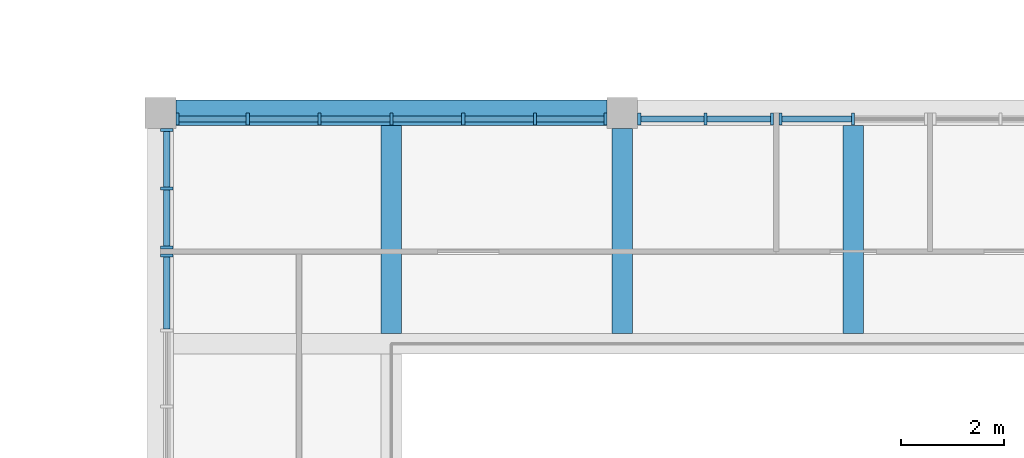
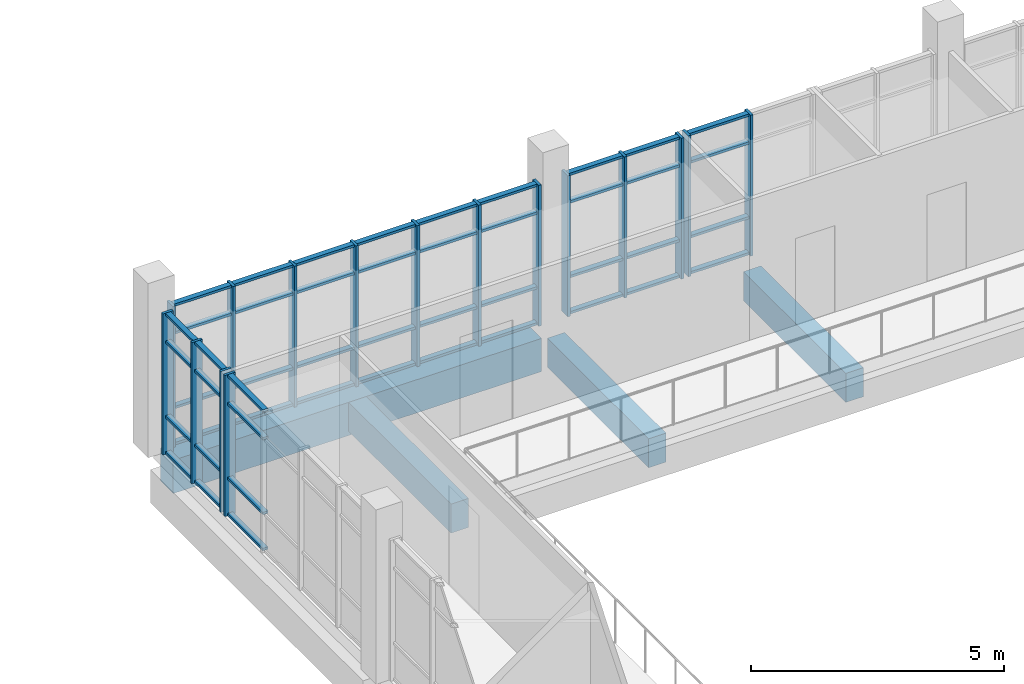
# One storey, part 7 of 92: 64 members, 4 beams, 5 elements without a shape of their own.
"""IFC4 building model written with IfcOpenShell, lengths in metres."""

import ifcopenshell
import ifcopenshell.guid

model = None  # the IFC model being written
_history = None  # IfcOwnerHistory: only IFC2X3 demands one
_inside = {}  # id of a spatial element -> (the spatial element, [elements in it])
_under = {}  # id of a project, library or spatial element -> (it, [spatial elements below it])
_declared = {}  # id of a project -> (the project, [libraries it declares])
_typed = {}  # id of a type object -> (the type object, [elements of that type])
_made_of = {}  # id of a material, layer set ... -> (it, [elements and type objects made of it])


def new_model(schema):
    """Start an empty IFC model of exactly this schema.

    Asked for "IFC4X3", IfcOpenShell would pick the latest addendum, in which some entities
    have other attributes; the version numbers below select the first issue.
    IFC2X3 requires an IfcOwnerHistory on every rooted entity: one is made here for all.
    """
    global model, _history
    if schema == "IFC4X3":
        model = ifcopenshell.file(schema_version=(4, 3, 0, 0))
    else:
        model = ifcopenshell.file(schema=schema)
    _inside.clear()
    _under.clear()
    _declared.clear()
    _typed.clear()
    _made_of.clear()
    _history = None
    if model.schema == "IFC2X3":
        org = make("IfcOrganization", Name="unknown")
        user = make(
            "IfcPersonAndOrganization",
            ThePerson=make("IfcPerson", FamilyName="unknown"),
            TheOrganization=org,
        )
        app = make(
            "IfcApplication",
            ApplicationDeveloper=org,
            Version="unknown",
            ApplicationFullName="unknown",
            ApplicationIdentifier="unknown",
        )
        _history = make(
            "IfcOwnerHistory",
            OwningUser=user,
            OwningApplication=app,
            ChangeAction="ADDED",
            CreationDate=0,
        )
    return model


def make(cls, **values):
    """One entity of the class cls with the attributes given. An attribute that is None is left unset."""
    return model.create_entity(
        cls, **{name: value for name, value in values.items() if value is not None}
    )


def rooted(cls, **values):
    """An entity with a GlobalId (a new one), such as an element, a storey or a relation."""
    return make(cls, GlobalId=ifcopenshell.guid.new(), OwnerHistory=_history, **values)


def si_unit(unit_type, name, prefix=None):
    """IfcSIUnit, for example si_unit("LENGTHUNIT", "METRE", prefix="MILLI")."""
    return make("IfcSIUnit", UnitType=unit_type, Prefix=prefix, Name=name)


def assignment(units):
    """IfcUnitAssignment: the units of a project."""
    return None if units is None else make("IfcUnitAssignment", Units=units)


def point(xyz):
    """IfcCartesianPoint."""
    return None if xyz is None else make("IfcCartesianPoint", Coordinates=xyz)


def direction(xyz):
    """IfcDirection."""
    return None if xyz is None else make("IfcDirection", DirectionRatios=xyz)


def frame(location, z_axis=None, x_axis=None):
    """IfcAxis2Placement3D, a coordinate frame: its origin and axes. An axis left out is left unset."""
    return make(
        "IfcAxis2Placement3D",
        Location=point(location),
        Axis=direction(z_axis),
        RefDirection=direction(x_axis),
    )


def frame_2d(location, x_axis=None):
    """IfcAxis2Placement2D, a coordinate frame in the plane: its origin and x axis."""
    return make(
        "IfcAxis2Placement2D", Location=point(location), RefDirection=direction(x_axis)
    )


def origin():
    """The frame at (0, 0, 0) with its axes left unset."""
    return frame((0.0, 0.0, 0.0))


def origin_2d():
    """The frame at (0, 0) in the plane with its x axis left unset."""
    return frame_2d((0.0, 0.0))


def place(relative_to, where):
    """IfcLocalPlacement: puts the frame where relative to a parent placement (None: the world)."""
    return make(
        "IfcLocalPlacement", PlacementRelTo=relative_to, RelativePlacement=where
    )


def context(
    kind, dimensions, precision=None, world=None, true_north=None, identifier=None
):
    """IfcGeometricRepresentationContext, for example the 3D "Model" context."""
    return make(
        "IfcGeometricRepresentationContext",
        ContextIdentifier=identifier,
        ContextType=kind,
        CoordinateSpaceDimension=dimensions,
        Precision=precision,
        WorldCoordinateSystem=world,
        TrueNorth=true_north,
    )


def subcontext(parent, identifier, kind, view, scale=None):
    """IfcGeometricRepresentationSubContext, for example "Body" below "Model"."""
    return make(
        "IfcGeometricRepresentationSubContext",
        ContextIdentifier=identifier,
        ContextType=kind,
        ParentContext=parent,
        TargetScale=scale,
        TargetView=view,
    )


def project(units=None, contexts=None):
    """IfcProject with its units and contexts."""
    return rooted(
        "IfcProject",
        Name="project",
        RepresentationContexts=contexts,
        UnitsInContext=assignment(units),
    )


def spatial(cls, under=None, at=None, **own):
    """A site, building, storey or space (cls), placed at a placement, below another one or the project."""
    s = rooted(cls, ObjectPlacement=at, **own)
    if under is not None:
        _under.setdefault(under.id(), (under, []))[1].append(s)
    return s


def profile(cls, at=None, kind="AREA", **sizes):
    """A parametric profile (cls). Its sizes go by their IFC names, for example OverallWidth=200.0."""
    return make(cls, ProfileType=kind, Position=at, **sizes)


def rectangle(**sizes):
    """IfcRectangleProfileDef."""
    return profile("IfcRectangleProfileDef", **sizes)


def extrude(swept, where, along, depth):
    """IfcExtrudedAreaSolid: the profile swept, set in the frame where, extruded along a direction by depth."""
    return make(
        "IfcExtrudedAreaSolid",
        SweptArea=swept,
        Position=where,
        ExtrudedDirection=direction(along),
        Depth=depth,
    )


def shape(context_of_items, identifier, shape_type, items):
    """IfcShapeRepresentation: the items that make up one representation, for example the "Body"."""
    return make(
        "IfcShapeRepresentation",
        ContextOfItems=context_of_items,
        RepresentationIdentifier=identifier,
        RepresentationType=shape_type,
        Items=items,
    )


def material(Name=None, Category=None):
    """IfcMaterial."""
    return make("IfcMaterial", Name=Name, Category=Category)


def material_profile(
    of_material, cross_section, Name=None, Category=None, Priority=None
):
    """IfcMaterialProfile: a cross section and its material."""
    return make(
        "IfcMaterialProfile",
        Name=Name,
        Material=of_material,
        Profile=cross_section,
        Priority=Priority,
        Category=Category,
    )


def profile_set(profiles, Name=None, composite=None):
    """IfcMaterialProfileSet."""
    return make(
        "IfcMaterialProfileSet",
        Name=Name,
        MaterialProfiles=profiles,
        CompositeProfile=composite,
    )


def made_of(thing, what):
    """Note that an element or type object is made of a material, layer set ...; save() writes the relation."""
    if what is not None:
        _made_of.setdefault(what.id(), (what, []))[1].append(thing)
    return thing


def type_object(cls, material=None, **own):
    """A type object (cls), such as IfcWallType, which elements share."""
    return made_of(rooted(cls, **own), material)


def element(
    cls,
    number,
    at=None,
    inside=None,
    cuts=None,
    type_object=None,
    material=None,
    context=None,
    identifier="Body",
    shape_type=None,
    held_by="IfcProductDefinitionShape",
    body=None,
    shapes=None,
    **own,
):
    """One element of the class cls, such as IfcWall. Its Tag is "e" and its number.

    at: its placement. inside: the storey or other place that contains it. cuts: it is an
    opening in that element (IfcRelVoidsElement). A single representation is given by context,
    identifier, shape_type and body (its items); several are given by shapes. held_by: the class
    of the entity that holds the representations. save() writes the other relations.
    """
    e = rooted(cls, Tag="e%d" % number, ObjectPlacement=at, **own)
    if body is not None:
        shapes = [shape(context, identifier, shape_type, body)]
    if shapes is not None:
        e.Representation = make(held_by, Representations=shapes)
    if inside is not None:
        _inside.setdefault(inside.id(), (inside, []))[1].append(e)
    if cuts is not None:
        rooted(
            "IfcRelVoidsElement", RelatingBuildingElement=cuts, RelatedOpeningElement=e
        )
    if type_object is not None:
        _typed.setdefault(type_object.id(), (type_object, []))[1].append(e)
    return made_of(e, material)


def aggregate(whole, parts):
    """IfcRelAggregates: a whole, such as a stair, and the parts it consists of."""
    return rooted("IfcRelAggregates", RelatingObject=whole, RelatedObjects=parts)


def save(model, path):
    """Write the relations noted so far, then the file.

    IfcRelAggregates (storeys below a building ...), IfcRelContainedInSpatialStructure (elements
    in a storey), IfcRelDefinesByType, IfcRelAssociatesMaterial and IfcRelDeclares: one each for
    every whole, place, type object, material and project.
    """
    for whole, parts in _under.values():
        aggregate(whole, parts)
    for where, things in _inside.values():
        rooted(
            "IfcRelContainedInSpatialStructure",
            RelatedElements=things,
            RelatingStructure=where,
        )
    for kind, things in _typed.values():
        rooted("IfcRelDefinesByType", RelatedObjects=things, RelatingType=kind)
    for what, things in _made_of.values():
        rooted("IfcRelAssociatesMaterial", RelatedObjects=things, RelatingMaterial=what)
    for by, libraries in _declared.values():
        rooted("IfcRelDeclares", RelatingContext=by, RelatedDefinitions=libraries)
    model.write(path)


model = new_model("IFC4")

# Units and contexts
model_context = context("Model", 3, precision=1e-05, world=origin(), true_north=direction((0.0, 1.0)))
body_context = subcontext(model_context, "Body", "Model", "MODEL_VIEW")
ifc_project = project(units=[si_unit("LENGTHUNIT", "METRE"), si_unit("AREAUNIT", "SQUARE_METRE"), si_unit("VOLUMEUNIT", "CUBIC_METRE"), si_unit("PLANEANGLEUNIT", "RADIAN"), si_unit("MASSUNIT", "GRAM", prefix="KILO")], contexts=[model_context])

# Site, building, storey
site_placement = place(None, origin())
site = spatial("IfcSite", under=ifc_project, at=site_placement, CompositionType="ELEMENT")
building_placement = place(site_placement, origin())
building = spatial("IfcBuilding", under=site, at=building_placement, Name="Merrow Basin Faculty of Sciences", CompositionType="ELEMENT")
storey_placement = place(building_placement, frame((0.0, 0.0, 4.5)))
storey = spatial("IfcBuildingStorey", under=building, at=storey_placement, Name="L01", CompositionType="ELEMENT", Elevation=4.5)

# Curtain wall, member
ifc_material_1 = material(Name="Aluminium alloy 6063", Category="aluminium")
curtain_wall_type = type_object("IfcCurtainWallType", Name="Atrium unitised curtain wall 240", PredefinedType="NOTDEFINED", material=ifc_material_1)
curtain_wall_1_placement = place(storey_placement, origin())
curtain_wall_1 = element("IfcCurtainWall", 1, at=curtain_wall_1_placement, inside=storey, type_object=curtain_wall_type, Name="W curtain wall L01 4", PredefinedType="NOTDEFINED")
ifc_material_2 = material(Name="Aluminium alloy 6063", Category="aluminium")
ifc_material_profile_1 = material_profile(ifc_material_2, rectangle(XDim=0.239990234375, YDim=0.06005859375, at=origin_2d()))
ifc_profile_set_1 = profile_set([ifc_material_profile_1], Name="Aluminium alloy 6063")
member_type_1 = type_object("IfcMemberType", Name="Aluminium mullion 60x240", PredefinedType="MULLION", material=ifc_profile_set_1)
member_1_placement = place(storey_placement, frame((45.1201171875, 33.219970703125, 0.0), z_axis=(0.0, 0.0, 1.0), x_axis=(-1.0, 0.0, 0.0)))
member_1 = element("IfcMember", 2, at=member_1_placement, type_object=member_type_1, Name="CW5 mullion 5", PredefinedType="MULLION", context=body_context, shape_type="SweptSolid", body=[
    extrude(rectangle(XDim=0.239990234375, YDim=0.06005859375, at=origin_2d()), origin(), (0.0, 0.0, 1.0), 3.39990234375),
])

# Curtain wall, members
curtain_wall_2_placement = place(storey_placement, origin())
curtain_wall_2 = element("IfcCurtainWall", 3, at=curtain_wall_2_placement, inside=storey, type_object=curtain_wall_type, Name="W curtain wall L01 5", PredefinedType="NOTDEFINED")
member_2_placement = place(storey_placement, frame((45.1201171875, 33.3798828125, 0.0), z_axis=(0.0, 0.0, 1.0), x_axis=(-1.0, 0.0, 0.0)))
member_2 = element("IfcMember", 4, at=member_2_placement, type_object=member_type_1, Name="CW5 mullion 1", PredefinedType="MULLION", context=body_context, shape_type="SweptSolid", body=[
    extrude(rectangle(XDim=0.239990234375, YDim=0.06005859375, at=origin_2d()), origin(), (0.0, 0.0, 1.0), 3.39990234375),
])
member_3_placement = place(storey_placement, frame((45.1201171875, 34.52490234375, 0.0), z_axis=(0.0, 0.0, 1.0), x_axis=(-1.0, 0.0, 0.0)))
member_3 = element("IfcMember", 5, at=member_3_placement, type_object=member_type_1, Name="CW5 mullion 2", PredefinedType="MULLION", context=body_context, shape_type="SweptSolid", body=[
    extrude(rectangle(XDim=0.239990234375, YDim=0.06005859375, at=origin_2d()), origin(), (0.0, 0.0, 1.0), 3.39990234375),
])
member_4_placement = place(storey_placement, frame((45.1201171875, 35.669921875, 0.0), z_axis=(0.0, 0.0, 1.0), x_axis=(-1.0, 0.0, 0.0)))
member_4 = element("IfcMember", 6, at=member_4_placement, type_object=member_type_1, Name="CW5 mullion 3", PredefinedType="MULLION", context=body_context, shape_type="SweptSolid", body=[
    extrude(rectangle(XDim=0.239990234375, YDim=0.06005859375, at=origin_2d()), origin(), (0.0, 0.0, 1.0), 3.39990234375),
])

curtain_wall_3_placement = place(storey_placement, origin())
curtain_wall_3 = element("IfcCurtainWall", 7, at=curtain_wall_3_placement, inside=storey, type_object=curtain_wall_type, Name="N curtain wall L01 1", PredefinedType="NOTDEFINED")
member_5_placement = place(storey_placement, frame((45.330078125, 35.8798828125, 0.0), z_axis=(0.0, 0.0, 1.0), x_axis=(0.0, 1.0, 0.0)))
member_5 = element("IfcMember", 8, at=member_5_placement, type_object=member_type_1, Name="CW5 mullion 1", PredefinedType="MULLION", context=body_context, shape_type="SweptSolid", body=[
    extrude(rectangle(XDim=0.239990234375, YDim=0.06005859375, at=origin_2d()), origin(), (0.0, 0.0, 1.0), 3.39990234375),
])
member_6_placement = place(storey_placement, frame((46.699951171875, 35.8798828125, 0.0), z_axis=(0.0, 0.0, 1.0), x_axis=(0.0, 1.0, 0.0)))
member_6 = element("IfcMember", 9, at=member_6_placement, type_object=member_type_1, Name="CW5 mullion 2", PredefinedType="MULLION", context=body_context, shape_type="SweptSolid", body=[
    extrude(rectangle(XDim=0.239990234375, YDim=0.06005859375, at=origin_2d()), origin(), (0.0, 0.0, 1.0), 3.39990234375),
])
member_7_placement = place(storey_placement, frame((48.10009765625, 35.8798828125, 0.0), z_axis=(0.0, 0.0, 1.0), x_axis=(0.0, 1.0, 0.0)))
member_7 = element("IfcMember", 10, at=member_7_placement, type_object=member_type_1, Name="CW5 mullion 3", PredefinedType="MULLION", context=body_context, shape_type="SweptSolid", body=[
    extrude(rectangle(XDim=0.239990234375, YDim=0.06005859375, at=origin_2d()), origin(), (0.0, 0.0, 1.0), 3.39990234375),
])
member_8_placement = place(storey_placement, frame((49.5, 35.8798828125, 0.0), z_axis=(0.0, 0.0, 1.0), x_axis=(0.0, 1.0, 0.0)))
member_8 = element("IfcMember", 11, at=member_8_placement, type_object=member_type_1, Name="CW5 mullion 4", PredefinedType="MULLION", context=body_context, shape_type="SweptSolid", body=[
    extrude(rectangle(XDim=0.239990234375, YDim=0.06005859375, at=origin_2d()), origin(), (0.0, 0.0, 1.0), 3.39990234375),
])
member_9_placement = place(storey_placement, frame((50.89990234375, 35.8798828125, 0.0), z_axis=(0.0, 0.0, 1.0), x_axis=(0.0, 1.0, 0.0)))
member_9 = element("IfcMember", 12, at=member_9_placement, type_object=member_type_1, Name="CW5 mullion 5", PredefinedType="MULLION", context=body_context, shape_type="SweptSolid", body=[
    extrude(rectangle(XDim=0.239990234375, YDim=0.06005859375, at=origin_2d()), origin(), (0.0, 0.0, 1.0), 3.39990234375),
])
member_10_placement = place(storey_placement, frame((52.300048828125, 35.8798828125, 0.0), z_axis=(0.0, 0.0, 1.0), x_axis=(0.0, 1.0, 0.0)))
member_10 = element("IfcMember", 13, at=member_10_placement, type_object=member_type_1, Name="CW5 mullion 6", PredefinedType="MULLION", context=body_context, shape_type="SweptSolid", body=[
    extrude(rectangle(XDim=0.239990234375, YDim=0.06005859375, at=origin_2d()), origin(), (0.0, 0.0, 1.0), 3.39990234375),
])
member_11_placement = place(storey_placement, frame((53.669921875, 35.8798828125, 0.0), z_axis=(0.0, 0.0, 1.0), x_axis=(0.0, 1.0, 0.0)))
member_11 = element("IfcMember", 14, at=member_11_placement, type_object=member_type_1, Name="CW5 mullion 7", PredefinedType="MULLION", context=body_context, shape_type="SweptSolid", body=[
    extrude(rectangle(XDim=0.239990234375, YDim=0.06005859375, at=origin_2d()), origin(), (0.0, 0.0, 1.0), 3.39990234375),
])

curtain_wall_4_placement = place(storey_placement, origin())
curtain_wall_4 = element("IfcCurtainWall", 15, at=curtain_wall_4_placement, inside=storey, type_object=curtain_wall_type, Name="N curtain wall L01 2", PredefinedType="NOTDEFINED")
member_12_placement = place(storey_placement, frame((54.330078125, 35.8798828125, 0.0), z_axis=(0.0, 0.0, 1.0), x_axis=(0.0, 1.0, 0.0)))
member_12 = element("IfcMember", 16, at=member_12_placement, type_object=member_type_1, Name="CW5 mullion 1", PredefinedType="MULLION", context=body_context, shape_type="SweptSolid", body=[
    extrude(rectangle(XDim=0.239990234375, YDim=0.06005859375, at=origin_2d()), origin(), (0.0, 0.0, 1.0), 3.39990234375),
])
member_13_placement = place(storey_placement, frame((55.625, 35.8798828125, 0.0), z_axis=(0.0, 0.0, 1.0), x_axis=(0.0, 1.0, 0.0)))
member_13 = element("IfcMember", 17, at=member_13_placement, type_object=member_type_1, Name="CW5 mullion 2", PredefinedType="MULLION", context=body_context, shape_type="SweptSolid", body=[
    extrude(rectangle(XDim=0.239990234375, YDim=0.06005859375, at=origin_2d()), origin(), (0.0, 0.0, 1.0), 3.39990234375),
])
member_14_placement = place(storey_placement, frame((56.919921875, 35.8798828125, 0.0), z_axis=(0.0, 0.0, 1.0), x_axis=(0.0, 1.0, 0.0)))
member_14 = element("IfcMember", 18, at=member_14_placement, type_object=member_type_1, Name="CW5 mullion 3", PredefinedType="MULLION", context=body_context, shape_type="SweptSolid", body=[
    extrude(rectangle(XDim=0.239990234375, YDim=0.06005859375, at=origin_2d()), origin(), (0.0, 0.0, 1.0), 3.39990234375),
])

curtain_wall_5_placement = place(storey_placement, origin())
curtain_wall_5 = element("IfcCurtainWall", 19, at=curtain_wall_5_placement, inside=storey, type_object=curtain_wall_type, Name="N curtain wall L01 3", PredefinedType="NOTDEFINED")
member_15_placement = place(storey_placement, frame((57.080078125, 35.8798828125, 0.0), z_axis=(0.0, 0.0, 1.0), x_axis=(0.0, 1.0, 0.0)))
member_15 = element("IfcMember", 20, at=member_15_placement, type_object=member_type_1, Name="CW5 mullion 1", PredefinedType="MULLION", context=body_context, shape_type="SweptSolid", body=[
    extrude(rectangle(XDim=0.239990234375, YDim=0.06005859375, at=origin_2d()), origin(), (0.0, 0.0, 1.0), 3.39990234375),
])
member_16_placement = place(storey_placement, frame((58.5, 35.8798828125, 0.0), z_axis=(0.0, 0.0, 1.0), x_axis=(0.0, 1.0, 0.0)))
member_16 = element("IfcMember", 21, at=member_16_placement, type_object=member_type_1, Name="CW5 mullion 2", PredefinedType="MULLION", context=body_context, shape_type="SweptSolid", body=[
    extrude(rectangle(XDim=0.239990234375, YDim=0.06005859375, at=origin_2d()), origin(), (0.0, 0.0, 1.0), 3.39990234375),
])

# Member
ifc_material_3 = material(Name="Aluminium alloy 6063", Category="aluminium")
ifc_material_profile_2 = material_profile(ifc_material_3, rectangle(XDim=0.1201171875, YDim=0.06005859375, at=origin_2d()))
ifc_profile_set_2 = profile_set([ifc_material_profile_2], Name="Aluminium alloy 6063")
member_type_2 = type_object("IfcMemberType", Name="Aluminium transom 60x120", PredefinedType="USERDEFINED", material=ifc_profile_set_2)
member_17_placement = place(storey_placement, frame((45.1201171875, 31.79248046875, 0.030029296875), z_axis=(0.0, 1.0, 0.0), x_axis=(-1.0, 0.0, 0.0)))
member_17 = element("IfcMember", 22, at=member_17_placement, type_object=member_type_2, Name="CW5 transom 4.1", ObjectType="TRANSOM", PredefinedType="USERDEFINED", context=body_context, shape_type="SweptSolid", body=[
    extrude(rectangle(XDim=0.1201171875, YDim=0.06005859375, at=origin_2d()), origin(), (0.0, 0.0, 1.0), 1.3974609375),
])

member_18_placement = place(storey_placement, frame((45.1201171875, 31.79248046875, 0.89990234375), z_axis=(0.0, 1.0, 0.0), x_axis=(-1.0, 0.0, 0.0)))
member_18 = element("IfcMember", 23, at=member_18_placement, type_object=member_type_2, Name="CW5 transom 4.2", ObjectType="TRANSOM", PredefinedType="USERDEFINED", context=body_context, shape_type="SweptSolid", body=[
    extrude(rectangle(XDim=0.1201171875, YDim=0.06005859375, at=origin_2d()), origin(), (0.0, 0.0, 1.0), 1.3974609375),
])

member_19_placement = place(storey_placement, frame((45.1201171875, 31.79248046875, 2.699951171875), z_axis=(0.0, 1.0, 0.0), x_axis=(-1.0, 0.0, 0.0)))
member_19 = element("IfcMember", 24, at=member_19_placement, type_object=member_type_2, Name="CW5 transom 4.3", ObjectType="TRANSOM", PredefinedType="USERDEFINED", context=body_context, shape_type="SweptSolid", body=[
    extrude(rectangle(XDim=0.1201171875, YDim=0.06005859375, at=origin_2d()), origin(), (0.0, 0.0, 1.0), 1.3974609375),
])

member_20_placement = place(storey_placement, frame((45.1201171875, 31.79248046875, 3.3701171875), z_axis=(0.0, 1.0, 0.0), x_axis=(-1.0, 0.0, 0.0)))
member_20 = element("IfcMember", 25, at=member_20_placement, type_object=member_type_2, Name="CW5 transom 4.4", ObjectType="TRANSOM", PredefinedType="USERDEFINED", context=body_context, shape_type="SweptSolid", body=[
    extrude(rectangle(XDim=0.1201171875, YDim=0.06005859375, at=origin_2d()), origin(), (0.0, 0.0, 1.0), 1.3974609375),
])

aggregate(curtain_wall_1, [member_1, member_17, member_18, member_19, member_20])

member_21_placement = place(storey_placement, frame((45.1201171875, 33.409912109375, 0.030029296875), z_axis=(0.0, 1.0, 0.0), x_axis=(-1.0, 0.0, 0.0)))
member_21 = element("IfcMember", 26, at=member_21_placement, type_object=member_type_2, Name="CW5 transom 1.1", ObjectType="TRANSOM", PredefinedType="USERDEFINED", context=body_context, shape_type="SweptSolid", body=[
    extrude(rectangle(XDim=0.1201171875, YDim=0.06005859375, at=origin_2d()), origin(), (0.0, 0.0, 1.0), 1.085205078125),
])

member_22_placement = place(storey_placement, frame((45.1201171875, 33.409912109375, 0.89990234375), z_axis=(0.0, 1.0, 0.0), x_axis=(-1.0, 0.0, 0.0)))
member_22 = element("IfcMember", 27, at=member_22_placement, type_object=member_type_2, Name="CW5 transom 1.2", ObjectType="TRANSOM", PredefinedType="USERDEFINED", context=body_context, shape_type="SweptSolid", body=[
    extrude(rectangle(XDim=0.1201171875, YDim=0.06005859375, at=origin_2d()), origin(), (0.0, 0.0, 1.0), 1.085205078125),
])

member_23_placement = place(storey_placement, frame((45.1201171875, 33.409912109375, 2.699951171875), z_axis=(0.0, 1.0, 0.0), x_axis=(-1.0, 0.0, 0.0)))
member_23 = element("IfcMember", 28, at=member_23_placement, type_object=member_type_2, Name="CW5 transom 1.3", ObjectType="TRANSOM", PredefinedType="USERDEFINED", context=body_context, shape_type="SweptSolid", body=[
    extrude(rectangle(XDim=0.1201171875, YDim=0.06005859375, at=origin_2d()), origin(), (0.0, 0.0, 1.0), 1.085205078125),
])

member_24_placement = place(storey_placement, frame((45.1201171875, 33.409912109375, 3.3701171875), z_axis=(0.0, 1.0, 0.0), x_axis=(-1.0, 0.0, 0.0)))
member_24 = element("IfcMember", 29, at=member_24_placement, type_object=member_type_2, Name="CW5 transom 1.4", ObjectType="TRANSOM", PredefinedType="USERDEFINED", context=body_context, shape_type="SweptSolid", body=[
    extrude(rectangle(XDim=0.1201171875, YDim=0.06005859375, at=origin_2d()), origin(), (0.0, 0.0, 1.0), 1.085205078125),
])

member_25_placement = place(storey_placement, frame((45.1201171875, 34.554931640625, 0.030029296875), z_axis=(0.0, 1.0, 0.0), x_axis=(-1.0, 0.0, 0.0)))
member_25 = element("IfcMember", 30, at=member_25_placement, type_object=member_type_2, Name="CW5 transom 2.1", ObjectType="TRANSOM", PredefinedType="USERDEFINED", context=body_context, shape_type="SweptSolid", body=[
    extrude(rectangle(XDim=0.1201171875, YDim=0.06005859375, at=origin_2d()), origin(), (0.0, 0.0, 1.0), 1.0849609375),
])

member_26_placement = place(storey_placement, frame((45.1201171875, 34.554931640625, 0.89990234375), z_axis=(0.0, 1.0, 0.0), x_axis=(-1.0, 0.0, 0.0)))
member_26 = element("IfcMember", 31, at=member_26_placement, type_object=member_type_2, Name="CW5 transom 2.2", ObjectType="TRANSOM", PredefinedType="USERDEFINED", context=body_context, shape_type="SweptSolid", body=[
    extrude(rectangle(XDim=0.1201171875, YDim=0.06005859375, at=origin_2d()), origin(), (0.0, 0.0, 1.0), 1.0849609375),
])

member_27_placement = place(storey_placement, frame((45.1201171875, 34.554931640625, 2.699951171875), z_axis=(0.0, 1.0, 0.0), x_axis=(-1.0, 0.0, 0.0)))
member_27 = element("IfcMember", 32, at=member_27_placement, type_object=member_type_2, Name="CW5 transom 2.3", ObjectType="TRANSOM", PredefinedType="USERDEFINED", context=body_context, shape_type="SweptSolid", body=[
    extrude(rectangle(XDim=0.1201171875, YDim=0.06005859375, at=origin_2d()), origin(), (0.0, 0.0, 1.0), 1.0849609375),
])

member_28_placement = place(storey_placement, frame((45.1201171875, 34.554931640625, 3.3701171875), z_axis=(0.0, 1.0, 0.0), x_axis=(-1.0, 0.0, 0.0)))
member_28 = element("IfcMember", 33, at=member_28_placement, type_object=member_type_2, Name="CW5 transom 2.4", ObjectType="TRANSOM", PredefinedType="USERDEFINED", context=body_context, shape_type="SweptSolid", body=[
    extrude(rectangle(XDim=0.1201171875, YDim=0.06005859375, at=origin_2d()), origin(), (0.0, 0.0, 1.0), 1.0849609375),
])

aggregate(curtain_wall_2, [member_2, member_3, member_4, member_21, member_22, member_23, member_24, member_25, member_26, member_27, member_28])

member_29_placement = place(storey_placement, frame((45.360107421875, 35.8798828125, 0.030029296875), z_axis=(1.0, 0.0, 0.0), x_axis=(0.0, 1.0, 0.0)))
member_29 = element("IfcMember", 34, at=member_29_placement, type_object=member_type_2, Name="CW5 transom 1.1", ObjectType="TRANSOM", PredefinedType="USERDEFINED", context=body_context, shape_type="SweptSolid", body=[
    extrude(rectangle(XDim=0.1201171875, YDim=0.06005859375, at=origin_2d()), origin(), (0.0, 0.0, 1.0), 1.309814453125),
])

member_30_placement = place(storey_placement, frame((45.360107421875, 35.8798828125, 0.89990234375), z_axis=(1.0, 0.0, 0.0), x_axis=(0.0, 1.0, 0.0)))
member_30 = element("IfcMember", 35, at=member_30_placement, type_object=member_type_2, Name="CW5 transom 1.2", ObjectType="TRANSOM", PredefinedType="USERDEFINED", context=body_context, shape_type="SweptSolid", body=[
    extrude(rectangle(XDim=0.1201171875, YDim=0.06005859375, at=origin_2d()), origin(), (0.0, 0.0, 1.0), 1.309814453125),
])

member_31_placement = place(storey_placement, frame((45.360107421875, 35.8798828125, 2.699951171875), z_axis=(1.0, 0.0, 0.0), x_axis=(0.0, 1.0, 0.0)))
member_31 = element("IfcMember", 36, at=member_31_placement, type_object=member_type_2, Name="CW5 transom 1.3", ObjectType="TRANSOM", PredefinedType="USERDEFINED", context=body_context, shape_type="SweptSolid", body=[
    extrude(rectangle(XDim=0.1201171875, YDim=0.06005859375, at=origin_2d()), origin(), (0.0, 0.0, 1.0), 1.309814453125),
])

member_32_placement = place(storey_placement, frame((45.360107421875, 35.8798828125, 3.3701171875), z_axis=(1.0, 0.0, 0.0), x_axis=(0.0, 1.0, 0.0)))
member_32 = element("IfcMember", 37, at=member_32_placement, type_object=member_type_2, Name="CW5 transom 1.4", ObjectType="TRANSOM", PredefinedType="USERDEFINED", context=body_context, shape_type="SweptSolid", body=[
    extrude(rectangle(XDim=0.1201171875, YDim=0.06005859375, at=origin_2d()), origin(), (0.0, 0.0, 1.0), 1.309814453125),
])

member_33_placement = place(storey_placement, frame((46.72998046875, 35.8798828125, 0.030029296875), z_axis=(1.0, 0.0, 0.0), x_axis=(0.0, 1.0, 0.0)))
member_33 = element("IfcMember", 38, at=member_33_placement, type_object=member_type_2, Name="CW5 transom 2.1", ObjectType="TRANSOM", PredefinedType="USERDEFINED", context=body_context, shape_type="SweptSolid", body=[
    extrude(rectangle(XDim=0.1201171875, YDim=0.06005859375, at=origin_2d()), origin(), (0.0, 0.0, 1.0), 1.340087890625),
])

member_34_placement = place(storey_placement, frame((46.72998046875, 35.8798828125, 0.89990234375), z_axis=(1.0, 0.0, 0.0), x_axis=(0.0, 1.0, 0.0)))
member_34 = element("IfcMember", 39, at=member_34_placement, type_object=member_type_2, Name="CW5 transom 2.2", ObjectType="TRANSOM", PredefinedType="USERDEFINED", context=body_context, shape_type="SweptSolid", body=[
    extrude(rectangle(XDim=0.1201171875, YDim=0.06005859375, at=origin_2d()), origin(), (0.0, 0.0, 1.0), 1.340087890625),
])

member_35_placement = place(storey_placement, frame((46.72998046875, 35.8798828125, 2.699951171875), z_axis=(1.0, 0.0, 0.0), x_axis=(0.0, 1.0, 0.0)))
member_35 = element("IfcMember", 40, at=member_35_placement, type_object=member_type_2, Name="CW5 transom 2.3", ObjectType="TRANSOM", PredefinedType="USERDEFINED", context=body_context, shape_type="SweptSolid", body=[
    extrude(rectangle(XDim=0.1201171875, YDim=0.06005859375, at=origin_2d()), origin(), (0.0, 0.0, 1.0), 1.340087890625),
])

member_36_placement = place(storey_placement, frame((46.72998046875, 35.8798828125, 3.3701171875), z_axis=(1.0, 0.0, 0.0), x_axis=(0.0, 1.0, 0.0)))
member_36 = element("IfcMember", 41, at=member_36_placement, type_object=member_type_2, Name="CW5 transom 2.4", ObjectType="TRANSOM", PredefinedType="USERDEFINED", context=body_context, shape_type="SweptSolid", body=[
    extrude(rectangle(XDim=0.1201171875, YDim=0.06005859375, at=origin_2d()), origin(), (0.0, 0.0, 1.0), 1.340087890625),
])

member_37_placement = place(storey_placement, frame((48.1298828125, 35.8798828125, 0.030029296875), z_axis=(1.0, 0.0, 0.0), x_axis=(0.0, 1.0, 0.0)))
member_37 = element("IfcMember", 42, at=member_37_placement, type_object=member_type_2, Name="CW5 transom 3.1", ObjectType="TRANSOM", PredefinedType="USERDEFINED", context=body_context, shape_type="SweptSolid", body=[
    extrude(rectangle(XDim=0.1201171875, YDim=0.06005859375, at=origin_2d()), origin(), (0.0, 0.0, 1.0), 1.340087890625),
])

member_38_placement = place(storey_placement, frame((48.1298828125, 35.8798828125, 0.89990234375), z_axis=(1.0, 0.0, 0.0), x_axis=(0.0, 1.0, 0.0)))
member_38 = element("IfcMember", 43, at=member_38_placement, type_object=member_type_2, Name="CW5 transom 3.2", ObjectType="TRANSOM", PredefinedType="USERDEFINED", context=body_context, shape_type="SweptSolid", body=[
    extrude(rectangle(XDim=0.1201171875, YDim=0.06005859375, at=origin_2d()), origin(), (0.0, 0.0, 1.0), 1.340087890625),
])

member_39_placement = place(storey_placement, frame((48.1298828125, 35.8798828125, 2.699951171875), z_axis=(1.0, 0.0, 0.0), x_axis=(0.0, 1.0, 0.0)))
member_39 = element("IfcMember", 44, at=member_39_placement, type_object=member_type_2, Name="CW5 transom 3.3", ObjectType="TRANSOM", PredefinedType="USERDEFINED", context=body_context, shape_type="SweptSolid", body=[
    extrude(rectangle(XDim=0.1201171875, YDim=0.06005859375, at=origin_2d()), origin(), (0.0, 0.0, 1.0), 1.340087890625),
])

member_40_placement = place(storey_placement, frame((48.1298828125, 35.8798828125, 3.3701171875), z_axis=(1.0, 0.0, 0.0), x_axis=(0.0, 1.0, 0.0)))
member_40 = element("IfcMember", 45, at=member_40_placement, type_object=member_type_2, Name="CW5 transom 3.4", ObjectType="TRANSOM", PredefinedType="USERDEFINED", context=body_context, shape_type="SweptSolid", body=[
    extrude(rectangle(XDim=0.1201171875, YDim=0.06005859375, at=origin_2d()), origin(), (0.0, 0.0, 1.0), 1.340087890625),
])

member_41_placement = place(storey_placement, frame((49.530029296875, 35.8798828125, 0.030029296875), z_axis=(1.0, 0.0, 0.0), x_axis=(0.0, 1.0, 0.0)))
member_41 = element("IfcMember", 46, at=member_41_placement, type_object=member_type_2, Name="CW5 transom 4.1", ObjectType="TRANSOM", PredefinedType="USERDEFINED", context=body_context, shape_type="SweptSolid", body=[
    extrude(rectangle(XDim=0.1201171875, YDim=0.06005859375, at=origin_2d()), origin(), (0.0, 0.0, 1.0), 1.340087890625),
])

member_42_placement = place(storey_placement, frame((49.530029296875, 35.8798828125, 0.89990234375), z_axis=(1.0, 0.0, 0.0), x_axis=(0.0, 1.0, 0.0)))
member_42 = element("IfcMember", 47, at=member_42_placement, type_object=member_type_2, Name="CW5 transom 4.2", ObjectType="TRANSOM", PredefinedType="USERDEFINED", context=body_context, shape_type="SweptSolid", body=[
    extrude(rectangle(XDim=0.1201171875, YDim=0.06005859375, at=origin_2d()), origin(), (0.0, 0.0, 1.0), 1.340087890625),
])

member_43_placement = place(storey_placement, frame((49.530029296875, 35.8798828125, 2.699951171875), z_axis=(1.0, 0.0, 0.0), x_axis=(0.0, 1.0, 0.0)))
member_43 = element("IfcMember", 48, at=member_43_placement, type_object=member_type_2, Name="CW5 transom 4.3", ObjectType="TRANSOM", PredefinedType="USERDEFINED", context=body_context, shape_type="SweptSolid", body=[
    extrude(rectangle(XDim=0.1201171875, YDim=0.06005859375, at=origin_2d()), origin(), (0.0, 0.0, 1.0), 1.340087890625),
])

member_44_placement = place(storey_placement, frame((49.530029296875, 35.8798828125, 3.3701171875), z_axis=(1.0, 0.0, 0.0), x_axis=(0.0, 1.0, 0.0)))
member_44 = element("IfcMember", 49, at=member_44_placement, type_object=member_type_2, Name="CW5 transom 4.4", ObjectType="TRANSOM", PredefinedType="USERDEFINED", context=body_context, shape_type="SweptSolid", body=[
    extrude(rectangle(XDim=0.1201171875, YDim=0.06005859375, at=origin_2d()), origin(), (0.0, 0.0, 1.0), 1.340087890625),
])

member_45_placement = place(storey_placement, frame((50.929931640625, 35.8798828125, 0.030029296875), z_axis=(1.0, 0.0, 0.0), x_axis=(0.0, 1.0, 0.0)))
member_45 = element("IfcMember", 50, at=member_45_placement, type_object=member_type_2, Name="CW5 transom 5.1", ObjectType="TRANSOM", PredefinedType="USERDEFINED", context=body_context, shape_type="SweptSolid", body=[
    extrude(rectangle(XDim=0.1201171875, YDim=0.06005859375, at=origin_2d()), origin(), (0.0, 0.0, 1.0), 1.340087890625),
])

member_46_placement = place(storey_placement, frame((50.929931640625, 35.8798828125, 0.89990234375), z_axis=(1.0, 0.0, 0.0), x_axis=(0.0, 1.0, 0.0)))
member_46 = element("IfcMember", 51, at=member_46_placement, type_object=member_type_2, Name="CW5 transom 5.2", ObjectType="TRANSOM", PredefinedType="USERDEFINED", context=body_context, shape_type="SweptSolid", body=[
    extrude(rectangle(XDim=0.1201171875, YDim=0.06005859375, at=origin_2d()), origin(), (0.0, 0.0, 1.0), 1.340087890625),
])

member_47_placement = place(storey_placement, frame((50.929931640625, 35.8798828125, 2.699951171875), z_axis=(1.0, 0.0, 0.0), x_axis=(0.0, 1.0, 0.0)))
member_47 = element("IfcMember", 52, at=member_47_placement, type_object=member_type_2, Name="CW5 transom 5.3", ObjectType="TRANSOM", PredefinedType="USERDEFINED", context=body_context, shape_type="SweptSolid", body=[
    extrude(rectangle(XDim=0.1201171875, YDim=0.06005859375, at=origin_2d()), origin(), (0.0, 0.0, 1.0), 1.340087890625),
])

member_48_placement = place(storey_placement, frame((50.929931640625, 35.8798828125, 3.3701171875), z_axis=(1.0, 0.0, 0.0), x_axis=(0.0, 1.0, 0.0)))
member_48 = element("IfcMember", 53, at=member_48_placement, type_object=member_type_2, Name="CW5 transom 5.4", ObjectType="TRANSOM", PredefinedType="USERDEFINED", context=body_context, shape_type="SweptSolid", body=[
    extrude(rectangle(XDim=0.1201171875, YDim=0.06005859375, at=origin_2d()), origin(), (0.0, 0.0, 1.0), 1.340087890625),
])

member_49_placement = place(storey_placement, frame((52.330078125, 35.8798828125, 0.030029296875), z_axis=(1.0, 0.0, 0.0), x_axis=(0.0, 1.0, 0.0)))
member_49 = element("IfcMember", 54, at=member_49_placement, type_object=member_type_2, Name="CW5 transom 6.1", ObjectType="TRANSOM", PredefinedType="USERDEFINED", context=body_context, shape_type="SweptSolid", body=[
    extrude(rectangle(XDim=0.1201171875, YDim=0.06005859375, at=origin_2d()), origin(), (0.0, 0.0, 1.0), 1.309814453125),
])

member_50_placement = place(storey_placement, frame((52.330078125, 35.8798828125, 0.89990234375), z_axis=(1.0, 0.0, 0.0), x_axis=(0.0, 1.0, 0.0)))
member_50 = element("IfcMember", 55, at=member_50_placement, type_object=member_type_2, Name="CW5 transom 6.2", ObjectType="TRANSOM", PredefinedType="USERDEFINED", context=body_context, shape_type="SweptSolid", body=[
    extrude(rectangle(XDim=0.1201171875, YDim=0.06005859375, at=origin_2d()), origin(), (0.0, 0.0, 1.0), 1.309814453125),
])

member_51_placement = place(storey_placement, frame((52.330078125, 35.8798828125, 2.699951171875), z_axis=(1.0, 0.0, 0.0), x_axis=(0.0, 1.0, 0.0)))
member_51 = element("IfcMember", 56, at=member_51_placement, type_object=member_type_2, Name="CW5 transom 6.3", ObjectType="TRANSOM", PredefinedType="USERDEFINED", context=body_context, shape_type="SweptSolid", body=[
    extrude(rectangle(XDim=0.1201171875, YDim=0.06005859375, at=origin_2d()), origin(), (0.0, 0.0, 1.0), 1.309814453125),
])

member_52_placement = place(storey_placement, frame((52.330078125, 35.8798828125, 3.3701171875), z_axis=(1.0, 0.0, 0.0), x_axis=(0.0, 1.0, 0.0)))
member_52 = element("IfcMember", 57, at=member_52_placement, type_object=member_type_2, Name="CW5 transom 6.4", ObjectType="TRANSOM", PredefinedType="USERDEFINED", context=body_context, shape_type="SweptSolid", body=[
    extrude(rectangle(XDim=0.1201171875, YDim=0.06005859375, at=origin_2d()), origin(), (0.0, 0.0, 1.0), 1.309814453125),
])

aggregate(curtain_wall_3, [member_5, member_6, member_7, member_8, member_9, member_10, member_11, member_29, member_30, member_31, member_32, member_33, member_34, member_35, member_36, member_37, member_38, member_39, member_40, member_41, member_42, member_43, member_44, member_45, member_46, member_47, member_48, member_49, member_50, member_51, member_52])

member_53_placement = place(storey_placement, frame((54.360107421875, 35.8798828125, 0.030029296875), z_axis=(1.0, 0.0, 0.0), x_axis=(0.0, 1.0, 0.0)))
member_53 = element("IfcMember", 58, at=member_53_placement, type_object=member_type_2, Name="CW5 transom 1.1", ObjectType="TRANSOM", PredefinedType="USERDEFINED", context=body_context, shape_type="SweptSolid", body=[
    extrude(rectangle(XDim=0.1201171875, YDim=0.06005859375, at=origin_2d()), origin(), (0.0, 0.0, 1.0), 1.23486328125),
])

member_54_placement = place(storey_placement, frame((54.360107421875, 35.8798828125, 0.89990234375), z_axis=(1.0, 0.0, 0.0), x_axis=(0.0, 1.0, 0.0)))
member_54 = element("IfcMember", 59, at=member_54_placement, type_object=member_type_2, Name="CW5 transom 1.2", ObjectType="TRANSOM", PredefinedType="USERDEFINED", context=body_context, shape_type="SweptSolid", body=[
    extrude(rectangle(XDim=0.1201171875, YDim=0.06005859375, at=origin_2d()), origin(), (0.0, 0.0, 1.0), 1.23486328125),
])

member_55_placement = place(storey_placement, frame((54.360107421875, 35.8798828125, 2.699951171875), z_axis=(1.0, 0.0, 0.0), x_axis=(0.0, 1.0, 0.0)))
member_55 = element("IfcMember", 60, at=member_55_placement, type_object=member_type_2, Name="CW5 transom 1.3", ObjectType="TRANSOM", PredefinedType="USERDEFINED", context=body_context, shape_type="SweptSolid", body=[
    extrude(rectangle(XDim=0.1201171875, YDim=0.06005859375, at=origin_2d()), origin(), (0.0, 0.0, 1.0), 1.23486328125),
])

member_56_placement = place(storey_placement, frame((54.360107421875, 35.8798828125, 3.3701171875), z_axis=(1.0, 0.0, 0.0), x_axis=(0.0, 1.0, 0.0)))
member_56 = element("IfcMember", 61, at=member_56_placement, type_object=member_type_2, Name="CW5 transom 1.4", ObjectType="TRANSOM", PredefinedType="USERDEFINED", context=body_context, shape_type="SweptSolid", body=[
    extrude(rectangle(XDim=0.1201171875, YDim=0.06005859375, at=origin_2d()), origin(), (0.0, 0.0, 1.0), 1.23486328125),
])

member_57_placement = place(storey_placement, frame((55.655029296875, 35.8798828125, 0.030029296875), z_axis=(1.0, 0.0, 0.0), x_axis=(0.0, 1.0, 0.0)))
member_57 = element("IfcMember", 62, at=member_57_placement, type_object=member_type_2, Name="CW5 transom 2.1", ObjectType="TRANSOM", PredefinedType="USERDEFINED", context=body_context, shape_type="SweptSolid", body=[
    extrude(rectangle(XDim=0.1201171875, YDim=0.06005859375, at=origin_2d()), origin(), (0.0, 0.0, 1.0), 1.23486328125),
])

member_58_placement = place(storey_placement, frame((55.655029296875, 35.8798828125, 0.89990234375), z_axis=(1.0, 0.0, 0.0), x_axis=(0.0, 1.0, 0.0)))
member_58 = element("IfcMember", 63, at=member_58_placement, type_object=member_type_2, Name="CW5 transom 2.2", ObjectType="TRANSOM", PredefinedType="USERDEFINED", context=body_context, shape_type="SweptSolid", body=[
    extrude(rectangle(XDim=0.1201171875, YDim=0.06005859375, at=origin_2d()), origin(), (0.0, 0.0, 1.0), 1.23486328125),
])

member_59_placement = place(storey_placement, frame((55.655029296875, 35.8798828125, 2.699951171875), z_axis=(1.0, 0.0, 0.0), x_axis=(0.0, 1.0, 0.0)))
member_59 = element("IfcMember", 64, at=member_59_placement, type_object=member_type_2, Name="CW5 transom 2.3", ObjectType="TRANSOM", PredefinedType="USERDEFINED", context=body_context, shape_type="SweptSolid", body=[
    extrude(rectangle(XDim=0.1201171875, YDim=0.06005859375, at=origin_2d()), origin(), (0.0, 0.0, 1.0), 1.23486328125),
])

member_60_placement = place(storey_placement, frame((55.655029296875, 35.8798828125, 3.3701171875), z_axis=(1.0, 0.0, 0.0), x_axis=(0.0, 1.0, 0.0)))
member_60 = element("IfcMember", 65, at=member_60_placement, type_object=member_type_2, Name="CW5 transom 2.4", ObjectType="TRANSOM", PredefinedType="USERDEFINED", context=body_context, shape_type="SweptSolid", body=[
    extrude(rectangle(XDim=0.1201171875, YDim=0.06005859375, at=origin_2d()), origin(), (0.0, 0.0, 1.0), 1.23486328125),
])

aggregate(curtain_wall_4, [member_12, member_13, member_14, member_53, member_54, member_55, member_56, member_57, member_58, member_59, member_60])

member_61_placement = place(storey_placement, frame((57.110107421875, 35.8798828125, 0.030029296875), z_axis=(1.0, 0.0, 0.0), x_axis=(0.0, 1.0, 0.0)))
member_61 = element("IfcMember", 66, at=member_61_placement, type_object=member_type_2, Name="CW5 transom 1.1", ObjectType="TRANSOM", PredefinedType="USERDEFINED", context=body_context, shape_type="SweptSolid", body=[
    extrude(rectangle(XDim=0.1201171875, YDim=0.06005859375, at=origin_2d()), origin(), (0.0, 0.0, 1.0), 1.35986328125),
])

member_62_placement = place(storey_placement, frame((57.110107421875, 35.8798828125, 0.89990234375), z_axis=(1.0, 0.0, 0.0), x_axis=(0.0, 1.0, 0.0)))
member_62 = element("IfcMember", 67, at=member_62_placement, type_object=member_type_2, Name="CW5 transom 1.2", ObjectType="TRANSOM", PredefinedType="USERDEFINED", context=body_context, shape_type="SweptSolid", body=[
    extrude(rectangle(XDim=0.1201171875, YDim=0.06005859375, at=origin_2d()), origin(), (0.0, 0.0, 1.0), 1.35986328125),
])

member_63_placement = place(storey_placement, frame((57.110107421875, 35.8798828125, 2.699951171875), z_axis=(1.0, 0.0, 0.0), x_axis=(0.0, 1.0, 0.0)))
member_63 = element("IfcMember", 68, at=member_63_placement, type_object=member_type_2, Name="CW5 transom 1.3", ObjectType="TRANSOM", PredefinedType="USERDEFINED", context=body_context, shape_type="SweptSolid", body=[
    extrude(rectangle(XDim=0.1201171875, YDim=0.06005859375, at=origin_2d()), origin(), (0.0, 0.0, 1.0), 1.35986328125),
])

member_64_placement = place(storey_placement, frame((57.110107421875, 35.8798828125, 3.3701171875), z_axis=(1.0, 0.0, 0.0), x_axis=(0.0, 1.0, 0.0)))
member_64 = element("IfcMember", 69, at=member_64_placement, type_object=member_type_2, Name="CW5 transom 1.4", ObjectType="TRANSOM", PredefinedType="USERDEFINED", context=body_context, shape_type="SweptSolid", body=[
    extrude(rectangle(XDim=0.1201171875, YDim=0.06005859375, at=origin_2d()), origin(), (0.0, 0.0, 1.0), 1.35986328125),
])

aggregate(curtain_wall_5, [member_15, member_16, member_61, member_62, member_63, member_64])

# Beams
ifc_material_4 = material(Name="Concrete C40/50", Category="concrete")
ifc_material_profile_3 = material_profile(ifc_material_4, rectangle(XDim=0.5, YDim=0.800048828125, at=origin_2d()))
ifc_profile_set_3 = profile_set([ifc_material_profile_3], Name="Concrete C40/50")
beam_type_1 = type_object("IfcBeamType", Name="Beam RC500x800 C40/50", PredefinedType="BEAM", material=ifc_profile_set_3)
beam_1_placement = place(storey_placement, frame((45.300048828125, 36.0, -0.699951171875), z_axis=(1.0, 0.0, 0.0), x_axis=(0.0, 1.0, 0.0)))
element("IfcBeam", 70, at=beam_1_placement, inside=storey, type_object=beam_type_1, Name="B4 L01 004", PredefinedType="BEAM", context=body_context, shape_type="SweptSolid", body=[
    extrude(rectangle(XDim=0.5, YDim=0.800048828125, at=origin_2d()), origin(), (0.0, 0.0, 1.0), 8.39990234375),
])
ifc_material_5 = material(Name="Concrete C40/50", Category="concrete")
ifc_material_profile_4 = material_profile(ifc_material_5, rectangle(XDim=0.39990234375, YDim=0.699951171875, at=origin_2d()))
ifc_profile_set_4 = profile_set([ifc_material_profile_4], Name="Concrete C40/50")
beam_type_2 = type_object("IfcBeamType", Name="Gallery edge beam RC400x700 C40/50", PredefinedType="BEAM", material=ifc_profile_set_4)
beam_2_placement = place(storey_placement, frame((49.5, 31.699951171875, -0.64990234375), z_axis=(0.0, 1.0, 0.0), x_axis=(-1.0, 0.0, 0.0)))
element("IfcBeam", 71, at=beam_2_placement, inside=storey, type_object=beam_type_2, Name="GB1 L01 016", PredefinedType="BEAM", context=body_context, shape_type="SweptSolid", body=[
    extrude(rectangle(XDim=0.39990234375, YDim=0.699951171875, at=origin_2d()), origin(), (0.0, 0.0, 1.0), 4.050048828125),
])
beam_3_placement = place(storey_placement, frame((54.0, 31.699951171875, -0.64990234375), z_axis=(0.0, 1.0, 0.0), x_axis=(-1.0, 0.0, 0.0)))
element("IfcBeam", 72, at=beam_3_placement, inside=storey, type_object=beam_type_2, Name="GB1 L01 020", PredefinedType="BEAM", context=body_context, shape_type="SweptSolid", body=[
    extrude(rectangle(XDim=0.39990234375, YDim=0.699951171875, at=origin_2d()), origin(), (0.0, 0.0, 1.0), 4.0),
])
beam_4_placement = place(storey_placement, frame((58.5, 31.699951171875, -0.64990234375), z_axis=(0.0, 1.0, 0.0), x_axis=(-1.0, 0.0, 0.0)))
element("IfcBeam", 73, at=beam_4_placement, inside=storey, type_object=beam_type_2, Name="GB1 L01 022", PredefinedType="BEAM", context=body_context, shape_type="SweptSolid", body=[
    extrude(rectangle(XDim=0.39990234375, YDim=0.699951171875, at=origin_2d()), origin(), (0.0, 0.0, 1.0), 4.050048828125),
])

save(model, "model.ifc")
